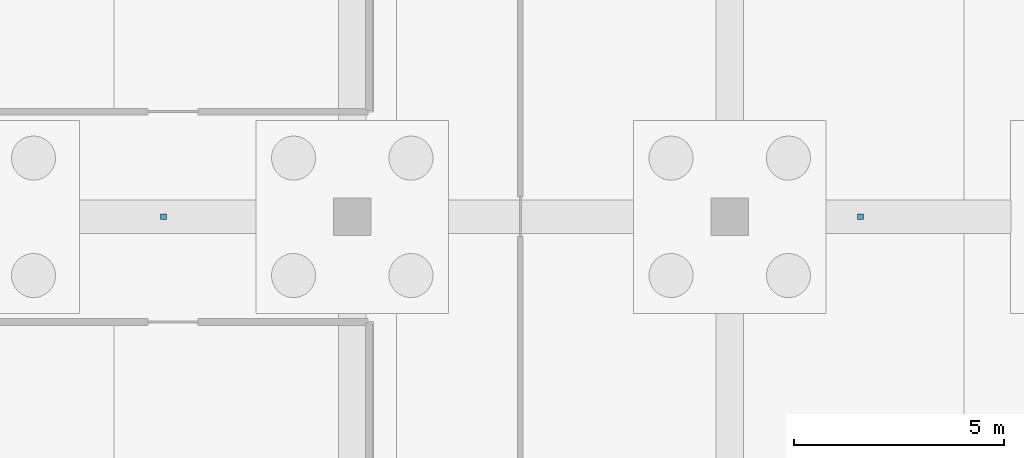
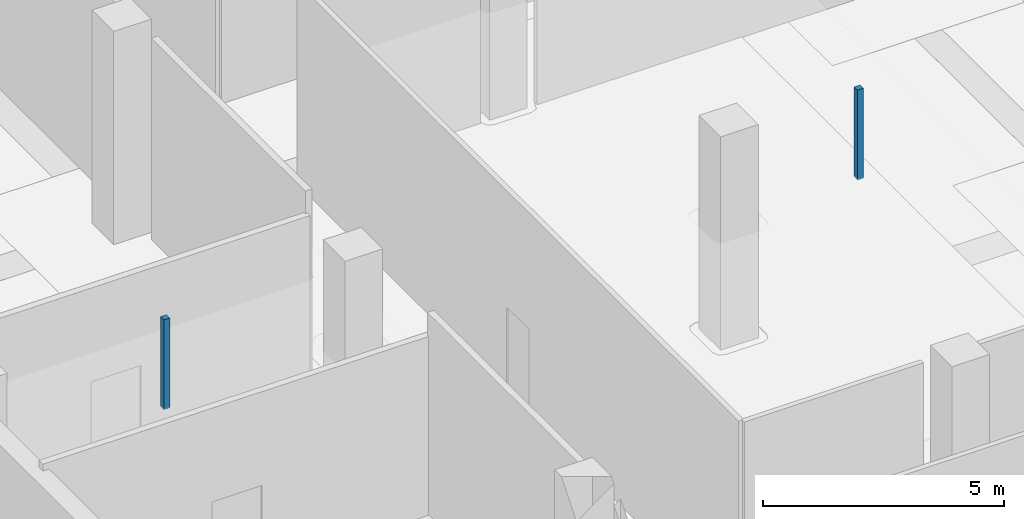
# One storey, part 14 of 22: 2 discrete accessories.
"""IFC4 building model written with IfcOpenShell, lengths in metres."""

from ifc_helpers import new_model, si_unit, direction, frame, origin, origin_2d, place, context, subcontext, project, spatial, rectangle, extrude, material, type_object, element, save


model = new_model("IFC4")

# Units and contexts
model_context = context("Model", 3, precision=1e-05, world=origin(), true_north=direction((0.0, 1.0)))
body_context = subcontext(model_context, "Body", "Model", "MODEL_VIEW")
ifc_project = project(units=[si_unit("LENGTHUNIT", "METRE"), si_unit("AREAUNIT", "SQUARE_METRE"), si_unit("VOLUMEUNIT", "CUBIC_METRE"), si_unit("PLANEANGLEUNIT", "RADIAN"), si_unit("MASSUNIT", "GRAM", prefix="KILO")], contexts=[model_context])

# Site, building, storey
site_placement = place(None, origin())
site = spatial("IfcSite", under=ifc_project, at=site_placement, CompositionType="ELEMENT")
building_placement = place(site_placement, origin())
building = spatial("IfcBuilding", under=site, at=building_placement, Name="Qorvath Tower", CompositionType="ELEMENT")
storey_placement = place(building_placement, frame((0.0, 0.0, -5.39990234375)))
storey = spatial("IfcBuildingStorey", under=building, at=storey_placement, Name="B01", CompositionType="ELEMENT", Elevation=-5.39990234375)

# Discrete accessories
ifc_material = material(Name="Galvanised steel bracket", Category="steel")
discrete_accessory_type = type_object("IfcDiscreteAccessoryType", Name="DA-BRACKET", PredefinedType="BRACKET", material=ifc_material)
for number, where, z_axis, x_axis, name in (
    (1, (36.89990234375, 0.0, 2.85986328125), (0.0, 0.0, 1.0), (1.0, 0.0, 0.0), "Acoustic Ceiling Suspension Hanger LB-B01-005"),
    (2, (53.517578125, 0.0, 2.85986328125), (0.0, 0.0, 1.0), (1.0, 0.0, 0.0), "Acoustic Ceiling Suspension Hanger LB-B01-007"),
):
    element("IfcDiscreteAccessory", number, at=place(storey_placement, frame(where, z_axis=z_axis, x_axis=x_axis)), inside=storey, type_object=discrete_accessory_type, Name=name, PredefinedType="NOTDEFINED", context=body_context, shape_type="SweptSolid", body=[
        extrude(rectangle(XDim=0.139892578125, YDim=0.139892578125, at=origin_2d()), origin(), (0.0, 0.0, 1.0), 2.27001953125),
    ])

save(model, "model.ifc")
